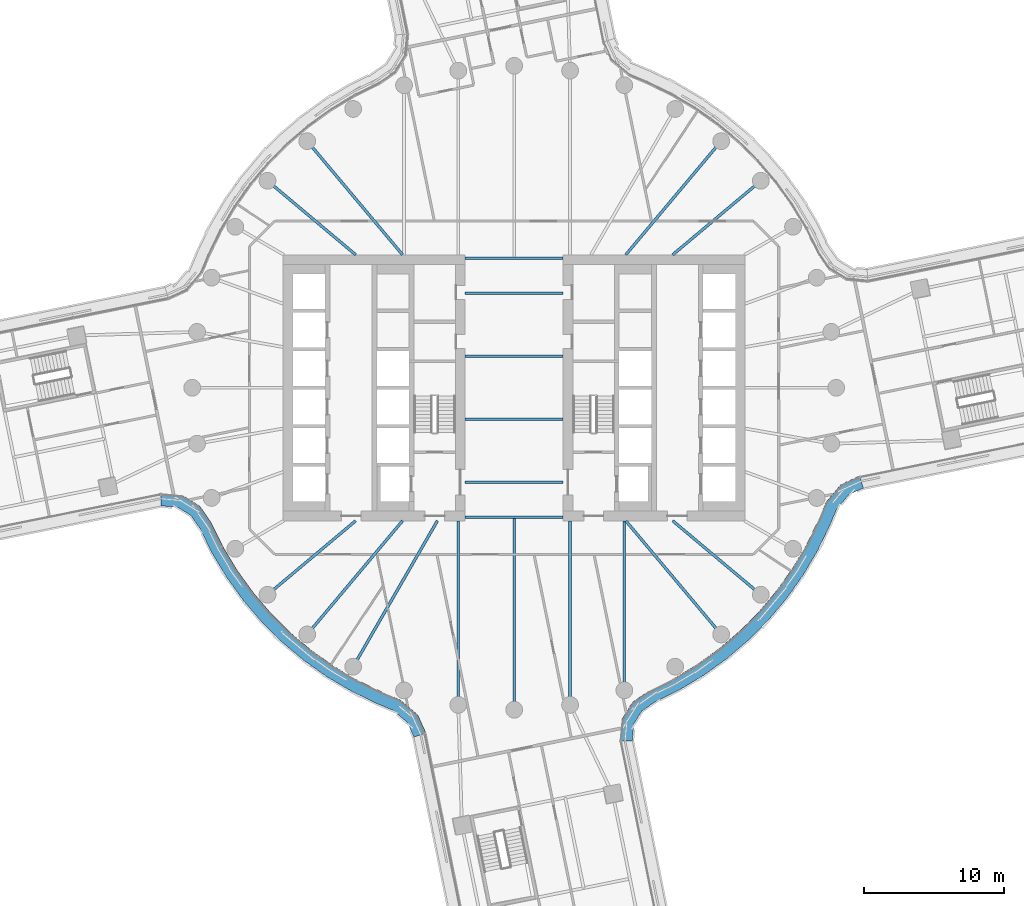
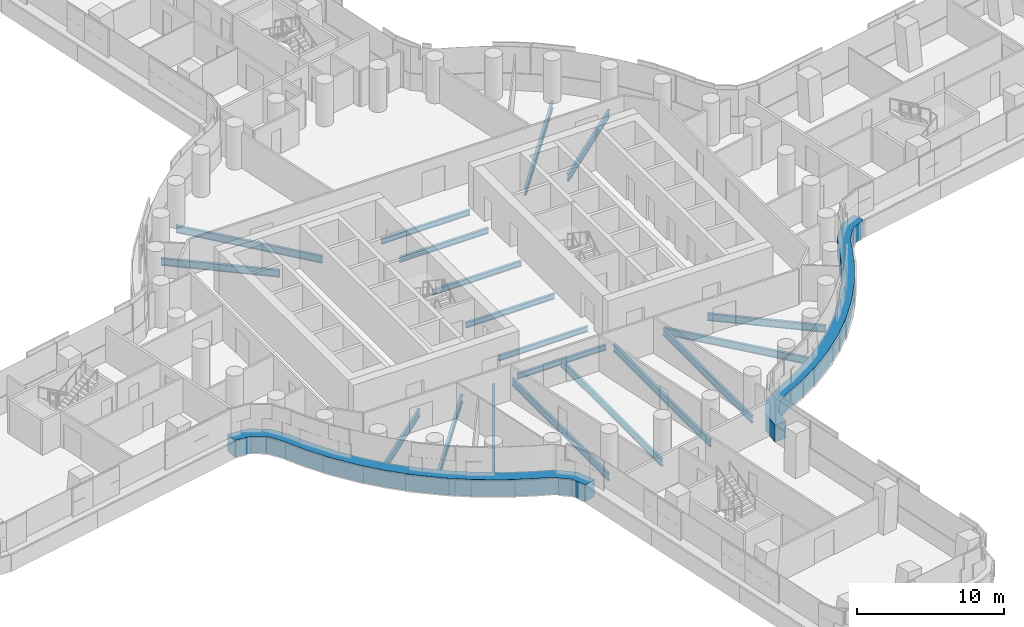
# One storey, part 8 of 31: 19 beams, 2 members, 2 elements without a shape of their own.
"""IFC4 building model written with IfcOpenShell, lengths in metres."""

from ifc_helpers import new_model, si_unit, direction, frame, origin, origin_2d, place, context, subcontext, project, spatial, polyline, i_section, outline, extrude, material, layer, layer_set, material_profile, profile_set, type_object, element, aggregate, save


model = new_model("IFC4")

# Units and contexts
model_context = context("Model", 3, precision=1e-05, world=origin(), true_north=direction((0.0, 1.0)))
body_context = subcontext(model_context, "Body", "Model", "MODEL_VIEW")
ifc_project = project(units=[si_unit("LENGTHUNIT", "METRE"), si_unit("AREAUNIT", "SQUARE_METRE"), si_unit("VOLUMEUNIT", "CUBIC_METRE"), si_unit("PLANEANGLEUNIT", "RADIAN"), si_unit("MASSUNIT", "GRAM", prefix="KILO")], contexts=[model_context])

# Site, building, storey
site_placement = place(None, origin())
site = spatial("IfcSite", under=ifc_project, at=site_placement, CompositionType="ELEMENT")
building_placement = place(site_placement, origin())
building = spatial("IfcBuilding", under=site, at=building_placement, Name="Tamarind Cross Interchange Tower", CompositionType="ELEMENT")
storey_placement = place(building_placement, frame((0.0, 0.0, 75.25)))
storey = spatial("IfcBuildingStorey", under=building, at=storey_placement, Name="L17", CompositionType="ELEMENT", Elevation=75.25)

# Beams
ifc_material_1 = material(Name="Steel Q355B", Category="steel")
ifc_material_profile_1 = material_profile(ifc_material_1, i_section(OverallWidth=0.198974609375, OverallDepth=0.446044921875, WebThickness=0.008056640625, FlangeThickness=0.011962890625, FilletRadius=0.012939453125, at=origin_2d()), Name="HN 446x199x8x12")
ifc_profile_set_1 = profile_set([ifc_material_profile_1], Name="Steel Q355B")
beam_type_1 = type_object("IfcBeamType", Name="Composite beam HN 446x199x8x12 Q355B", PredefinedType="BEAM", material=ifc_profile_set_1)
for number, where, z_axis, x_axis, name in (
    (1, (-3.5, -2.25, -0.363037109375), (1.0, 0.0, 0.0), (0.0, 1.0, 0.0), "Beam G-2.25"),
    (2, (-3.5, -6.75, -0.363037109375), (1.0, 0.0, 0.0), (0.0, 1.0, 0.0), "Beam G-6.75"),
    (3, (-3.5, -9.25, -0.363037109375), (1.0, 0.0, 0.0), (0.0, 1.0, 0.0), "Beam G-9.25"),
    (4, (-3.5, 2.25, -0.363037109375), (1.0, 0.0, 0.0), (0.0, 1.0, 0.0), "Beam G2.25"),
    (5, (-3.5, 6.75, -0.363037109375), (1.0, 0.0, 0.0), (0.0, 1.0, 0.0), "Beam G6.75"),
    (6, (-3.5, 9.25, -0.363037109375), (1.0, 0.0, 0.0), (0.0, 1.0, 0.0), "Beam G9.25"),
):
    element("IfcBeam", number, at=place(storey_placement, frame(where, z_axis=z_axis, x_axis=x_axis)), inside=storey, type_object=beam_type_1, Name=name, PredefinedType="BEAM", context=body_context, shape_type="SweptSolid", body=[
        extrude(i_section(OverallWidth=0.198974609375, OverallDepth=0.446044921875, WebThickness=0.008056640625, FlangeThickness=0.011962890625, FilletRadius=0.012939453125, at=origin_2d()), origin(), (0.0, 0.0, 1.0), 7.0),
    ])
ifc_material_profile_2 = material_profile(ifc_material_1, i_section(OverallWidth=0.198974609375, OverallDepth=0.595947265625, WebThickness=0.010009765625, FlangeThickness=0.014892578125, FilletRadius=0.012939453125, at=origin_2d()), Name="HN 596x199x10x15")
ifc_profile_set_2 = profile_set([ifc_material_profile_2], Name="Steel Q355B")
beam_type_2 = type_object("IfcBeamType", Name="Composite beam HN 596x199x10x15 Q355B", PredefinedType="BEAM", material=ifc_profile_set_2)
beam_1_placement = place(storey_placement, frame((17.619140625, 14.7841796875, -0.43798828125), z_axis=(-0.766040580814, -0.642792212574, 0.0), x_axis=(0.642792212574, -0.766040580814, 0.0)))
element("IfcBeam", 7, at=beam_1_placement, inside=storey, type_object=beam_type_2, Name="Beam HH04", PredefinedType="BEAM", context=body_context, shape_type="SweptSolid", body=[
    extrude(i_section(OverallWidth=0.198974609375, OverallDepth=0.595947265625, WebThickness=0.010009765625, FlangeThickness=0.014892578125, FilletRadius=0.012939453125, at=origin_2d()), origin(), (0.0, 0.0, 1.0), 8.220703125),
])
for number, where, z_axis, x_axis, name in (
    (8, (14.7841796875, 17.619140625, -0.43798828125), (-0.642786293979, -0.766045547127, 0.0), (0.766045547127, -0.642786293979, 0.0), "Beam HH05"),
    (9, (-14.7841796875, 17.619140625, -0.43798828125), (0.642786293979, -0.766045547127, 0.0), (0.766045547127, 0.642786293979, 0.0), "Beam HH13"),
):
    element("IfcBeam", number, at=place(storey_placement, frame(where, z_axis=z_axis, x_axis=x_axis)), inside=storey, type_object=beam_type_2, Name=name, PredefinedType="BEAM", context=body_context, shape_type="SweptSolid", body=[
        extrude(i_section(OverallWidth=0.198974609375, OverallDepth=0.595947265625, WebThickness=0.010009765625, FlangeThickness=0.014892578125, FilletRadius=0.012939453125, at=origin_2d()), origin(), (0.0, 0.0, 1.0), 10.598876953125),
    ])
for number, where, z_axis, x_axis, name in (
    (10, (-17.619140625, 14.7841796875, -0.43798828125), (0.766040580814, -0.642792212574, 0.0), (0.642792212574, 0.766040580814, 0.0), "Beam HH14"),
    (11, (-17.619140625, -14.7841796875, -0.43798828125), (0.766040580814, 0.642792212574, 0.0), (-0.642792212574, 0.766040580814, 0.0), "Beam HH22"),
):
    element("IfcBeam", number, at=place(storey_placement, frame(where, z_axis=z_axis, x_axis=x_axis)), inside=storey, type_object=beam_type_2, Name=name, PredefinedType="BEAM", context=body_context, shape_type="SweptSolid", body=[
        extrude(i_section(OverallWidth=0.198974609375, OverallDepth=0.595947265625, WebThickness=0.010009765625, FlangeThickness=0.014892578125, FilletRadius=0.012939453125, at=origin_2d()), origin(), (0.0, 0.0, 1.0), 8.220703125),
    ])
beam_2_placement = place(storey_placement, frame((-14.7841796875, -17.619140625, -0.43798828125), z_axis=(0.642786293979, 0.766045547127, 0.0), x_axis=(-0.766045547127, 0.642786293979, 0.0)))
element("IfcBeam", 12, at=beam_2_placement, inside=storey, type_object=beam_type_2, Name="Beam HH23", PredefinedType="BEAM", context=body_context, shape_type="SweptSolid", body=[
    extrude(i_section(OverallWidth=0.198974609375, OverallDepth=0.595947265625, WebThickness=0.010009765625, FlangeThickness=0.014892578125, FilletRadius=0.012939453125, at=origin_2d()), origin(), (0.0, 0.0, 1.0), 10.598876953125),
])
beam_3_placement = place(storey_placement, frame((-11.5, -19.918701171875, -0.43798828125), z_axis=(0.499993565836, 0.866029118519, 0.0), x_axis=(-0.866029118519, 0.499993565836, 0.0)))
element("IfcBeam", 13, at=beam_3_placement, inside=storey, type_object=beam_type_2, Name="Beam HH24", PredefinedType="BEAM", context=body_context, shape_type="SweptSolid", body=[
    extrude(i_section(OverallWidth=0.198974609375, OverallDepth=0.595947265625, WebThickness=0.010009765625, FlangeThickness=0.014892578125, FilletRadius=0.012939453125, at=origin_2d()), origin(), (0.0, 0.0, 1.0), 12.030517578125),
])
beam_4_placement = place(storey_placement, frame((-3.993896484375, -22.650634765625, -0.43798828125), z_axis=(0.0, 1.0, 0.0), x_axis=(-1.0, 0.0, 0.0)))
element("IfcBeam", 14, at=beam_4_placement, inside=storey, type_object=beam_type_2, Name="Beam HH26", PredefinedType="BEAM", context=body_context, shape_type="SweptSolid", body=[
    extrude(i_section(OverallWidth=0.198974609375, OverallDepth=0.595947265625, WebThickness=0.010009765625, FlangeThickness=0.014892578125, FilletRadius=0.012939453125, at=origin_2d()), origin(), (0.0, 0.0, 1.0), 13.150634765625),
])
beam_5_placement = place(storey_placement, frame((0.0, -23.0, -0.43798828125), z_axis=(0.0, 1.0, 0.0), x_axis=(-1.0, 0.0, 0.0)))
element("IfcBeam", 15, at=beam_5_placement, inside=storey, type_object=beam_type_2, Name="Beam HH27", PredefinedType="BEAM", context=body_context, shape_type="SweptSolid", body=[
    extrude(i_section(OverallWidth=0.198974609375, OverallDepth=0.595947265625, WebThickness=0.010009765625, FlangeThickness=0.014892578125, FilletRadius=0.012939453125, at=origin_2d()), origin(), (0.0, 0.0, 1.0), 13.75),
])
beam_6_placement = place(storey_placement, frame((3.993896484375, -22.650634765625, -0.43798828125), z_axis=(0.0, 1.0, 0.0), x_axis=(-1.0, 0.0, 0.0)))
element("IfcBeam", 16, at=beam_6_placement, inside=storey, type_object=beam_type_2, Name="Beam HH28", PredefinedType="BEAM", context=body_context, shape_type="SweptSolid", body=[
    extrude(i_section(OverallWidth=0.198974609375, OverallDepth=0.595947265625, WebThickness=0.010009765625, FlangeThickness=0.014892578125, FilletRadius=0.012939453125, at=origin_2d()), origin(), (0.0, 0.0, 1.0), 13.150634765625),
])
beam_7_placement = place(storey_placement, frame((7.866455078125, -21.613037109375, -0.43798828125), z_axis=(0.0, 1.0, 0.0), x_axis=(-1.0, 0.0, 0.0)))
element("IfcBeam", 17, at=beam_7_placement, inside=storey, type_object=beam_type_2, Name="Beam HH29", PredefinedType="BEAM", context=body_context, shape_type="SweptSolid", body=[
    extrude(i_section(OverallWidth=0.198974609375, OverallDepth=0.595947265625, WebThickness=0.010009765625, FlangeThickness=0.014892578125, FilletRadius=0.012939453125, at=origin_2d()), origin(), (0.0, 0.0, 1.0), 12.113037109375),
])
beam_8_placement = place(storey_placement, frame((14.7841796875, -17.619140625, -0.43798828125), z_axis=(-0.642786293979, 0.766045547127, 0.0), x_axis=(-0.766045547127, -0.642786293979, 0.0)))
element("IfcBeam", 18, at=beam_8_placement, inside=storey, type_object=beam_type_2, Name="Beam HH31", PredefinedType="BEAM", context=body_context, shape_type="SweptSolid", body=[
    extrude(i_section(OverallWidth=0.198974609375, OverallDepth=0.595947265625, WebThickness=0.010009765625, FlangeThickness=0.014892578125, FilletRadius=0.012939453125, at=origin_2d()), origin(), (0.0, 0.0, 1.0), 10.598876953125),
])
beam_9_placement = place(storey_placement, frame((17.619140625, -14.7841796875, -0.43798828125), z_axis=(-0.766040580814, 0.642792212574, 0.0), x_axis=(-0.642792212574, -0.766040580814, 0.0)))
element("IfcBeam", 19, at=beam_9_placement, inside=storey, type_object=beam_type_2, Name="Beam HH32", PredefinedType="BEAM", context=body_context, shape_type="SweptSolid", body=[
    extrude(i_section(OverallWidth=0.198974609375, OverallDepth=0.595947265625, WebThickness=0.010009765625, FlangeThickness=0.014892578125, FilletRadius=0.012939453125, at=origin_2d()), origin(), (0.0, 0.0, 1.0), 8.220703125),
])

# Curtain wall, member
ifc_material_2 = material(Name="Aluminium 6063-T6", Category="aluminium")
ifc_layer = layer(ifc_material_2, 0.159912109375)
ifc_layer_set = layer_set([ifc_layer], Name="Aluminium 6063-T6")
curtain_wall_type = type_object("IfcCurtainWallType", Name="Office curtain wall, 9.0 m bays", PredefinedType="NOTDEFINED", material=ifc_layer_set)
curtain_wall_1_placement = place(storey_placement, origin())
curtain_wall_1 = element("IfcCurtainWall", 20, at=curtain_wall_1_placement, inside=storey, type_object=curtain_wall_type, Name="CWS-L17-02", PredefinedType="NOTDEFINED")
ifc_material_3 = material(Name="Aluminium and insulated spandrel panel", Category="aluminium")
member_type = type_object("IfcMemberType", Name="Floor-edge blade transom", PredefinedType="USERDEFINED", material=ifc_material_3)
member_1_placement = place(storey_placement, origin())
member_1 = element("IfcMember", 21, at=member_1_placement, type_object=member_type, Name="CWT-L17-02", ObjectType="TRANSOM", PredefinedType="USERDEFINED", context=body_context, shape_type="SweptSolid", body=[
    extrude(outline(polyline([(-25.258544921875, -7.525634765625), (-23.710205078125, -7.6728515625), (-22.468505859375, -8.43994140625), (-21.674072265625, -9.58056640625), (-20.791015625, -11.367431640625), (-19.78125, -13.045654296875), (-18.636474609375, -14.634521484375), (-17.3642578125, -16.12353515625), (-15.973388671875, -17.50244140625), (-14.4736328125, -18.76171875), (-12.874755859375, -19.892822265625), (-11.188232421875, -20.88818359375), (-9.421142578125, -21.742431640625), (-8.19677734375, -22.25439453125), (-6.897705078125, -23.34326171875), (-6.294921875, -24.6669921875), (-7.156494140625, -24.94677734375), (-7.632080078125, -23.90185546875), (-8.670166015625, -23.031982421875), (-9.790771484375, -22.5634765625), (-11.613525390625, -21.68212890625), (-13.3642578125, -20.64892578125), (-15.023681640625, -19.474853515625), (-16.580810546875, -18.167724609375), (-18.0244140625, -16.736572265625), (-19.344970703125, -15.19091796875), (-20.533203125, -13.54150390625), (-21.581298828125, -11.799560546875), (-22.451171875, -10.03955078125), (-23.100341796875, -9.107421875), (-24.00439453125, -8.548828125), (-25.211181640625, -8.434326171875), (-25.258544921875, -7.525634765625)])), origin(), (0.0, 0.0, 1.0), 1.39990234375),
])
aggregate(curtain_wall_1, [member_1])

curtain_wall_2_placement = place(storey_placement, origin())
curtain_wall_2 = element("IfcCurtainWall", 22, at=curtain_wall_2_placement, inside=storey, type_object=curtain_wall_type, Name="CWS-L17-06", PredefinedType="NOTDEFINED")
member_2_placement = place(storey_placement, origin())
member_2 = element("IfcMember", 23, at=member_2_placement, type_object=member_type, Name="CWT-L17-06", ObjectType="TRANSOM", PredefinedType="USERDEFINED", context=body_context, shape_type="SweptSolid", body=[
    extrude(outline(polyline([(7.525634765625, -25.258544921875), (7.6728515625, -23.710205078125), (8.43994140625, -22.468505859375), (9.58056640625, -21.674072265625), (11.367431640625, -20.791015625), (13.045654296875, -19.78125), (14.634521484375, -18.636474609375), (16.12353515625, -17.3642578125), (17.50244140625, -15.973388671875), (18.76171875, -14.4736328125), (19.892822265625, -12.874755859375), (20.88818359375, -11.188232421875), (21.742431640625, -9.421142578125), (22.25439453125, -8.19677734375), (23.34326171875, -6.897705078125), (24.6669921875, -6.294921875), (24.94677734375, -7.156494140625), (23.90185546875, -7.632080078125), (23.031982421875, -8.670166015625), (22.5634765625, -9.790771484375), (21.68212890625, -11.613525390625), (20.64892578125, -13.3642578125), (19.474853515625, -15.023681640625), (18.167724609375, -16.580810546875), (16.736572265625, -18.0244140625), (15.19091796875, -19.344970703125), (13.54150390625, -20.533203125), (11.799560546875, -21.581298828125), (10.03955078125, -22.451171875), (9.107421875, -23.100341796875), (8.548828125, -24.00439453125), (8.434326171875, -25.211181640625), (7.525634765625, -25.258544921875)])), origin(), (0.0, 0.0, 1.0), 1.39990234375),
])
aggregate(curtain_wall_2, [member_2])

save(model, "model.ifc")
